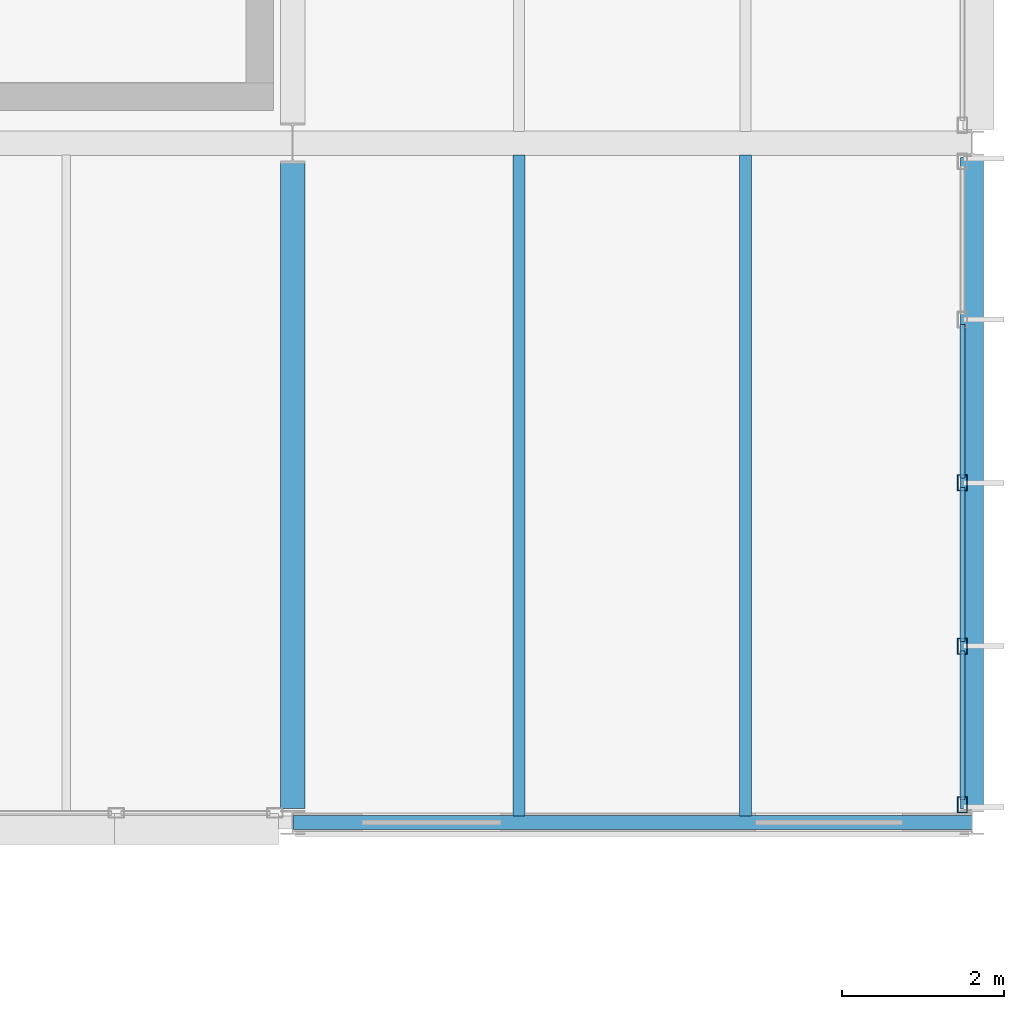
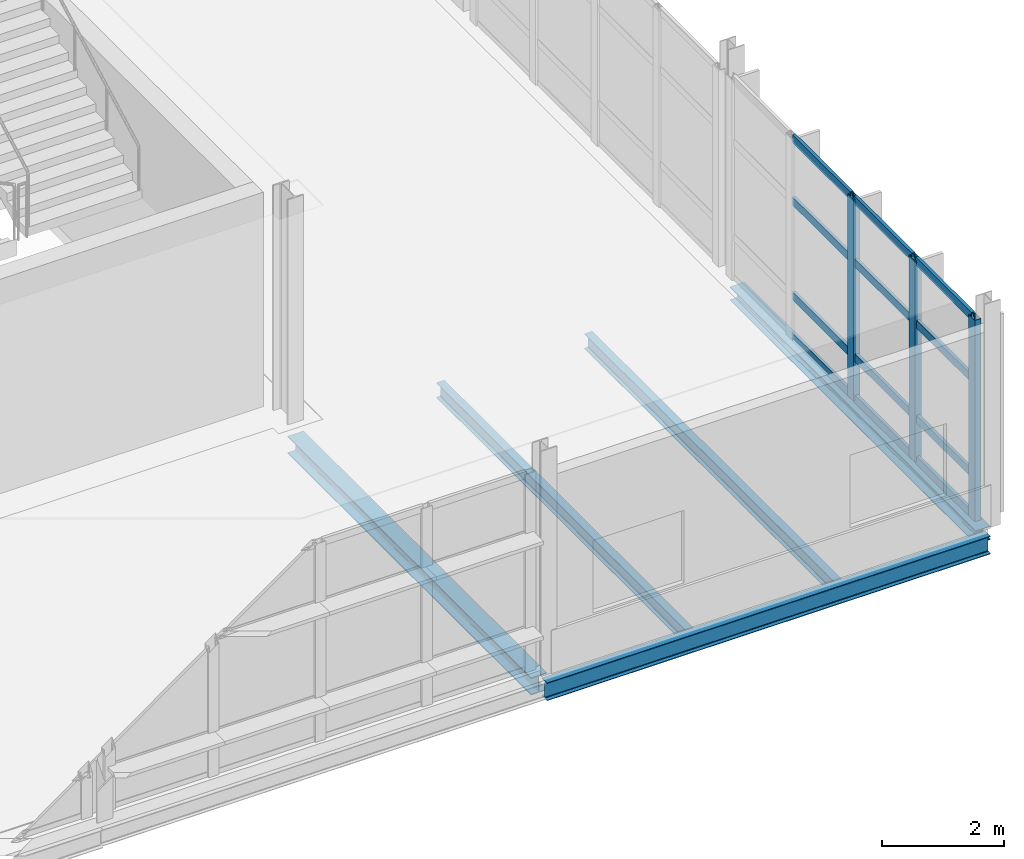
# One storey, part 67 of 129: 15 members, 5 beams, 1 element without a shape of its own.
"""IFC4 building model written with IfcOpenShell, lengths in metres."""

from ifc_helpers import new_model, si_unit, direction, frame, origin, origin_2d, place, context, subcontext, project, spatial, hollow_rectangle, i_section, extrude, material, material_profile, profile_set, type_object, element, aggregate, save


model = new_model("IFC4")

# Units and contexts
model_context = context("Model", 3, precision=1e-05, world=origin(), true_north=direction((0.0, 1.0)))
body_context = subcontext(model_context, "Body", "Model", "MODEL_VIEW")
ifc_project = project(units=[si_unit("LENGTHUNIT", "METRE"), si_unit("AREAUNIT", "SQUARE_METRE"), si_unit("VOLUMEUNIT", "CUBIC_METRE"), si_unit("PLANEANGLEUNIT", "RADIAN"), si_unit("MASSUNIT", "GRAM", prefix="KILO")], contexts=[model_context])

# Site, building, storey
site_placement = place(None, origin())
site = spatial("IfcSite", under=ifc_project, at=site_placement, CompositionType="ELEMENT")
building_placement = place(site_placement, origin())
building = spatial("IfcBuilding", under=site, at=building_placement, Name="Mersafa Astral City Hall", CompositionType="ELEMENT")
storey_placement = place(building_placement, frame((0.0, 0.0, 5.39990234375)))
storey = spatial("IfcBuildingStorey", under=building, at=storey_placement, Name="L01", CompositionType="ELEMENT", Elevation=5.39990234375)

# Curtain wall, members
ifc_material_1 = material(Name="Anodised bronze aluminium framing", Category="aluminium")
curtain_wall_type = type_object("IfcCurtainWallType", Name="ENV-CW-5", PredefinedType="USERDEFINED", material=ifc_material_1)
curtain_wall_placement = place(storey_placement, origin())
curtain_wall = element("IfcCurtainWall", 1, at=curtain_wall_placement, inside=storey, type_object=curtain_wall_type, Name="L01 Unitised solar curtain wall 70", ObjectType="UNITISED CURTAIN WALL", PredefinedType="USERDEFINED")
ifc_material_profile_1 = material_profile(ifc_material_1, hollow_rectangle(XDim=0.1201171875, YDim=0.199951171875, WallThickness=0.008056640625, at=origin_2d()), Name="RHS 120x200x8")
ifc_profile_set_1 = profile_set([ifc_material_profile_1], Name="Anodised bronze aluminium framing")
member_type_1 = type_object("IfcMemberType", Name="ENV-CW-MUL-2", PredefinedType="MULLION", material=ifc_profile_set_1)
member_1_placement = place(storey_placement, frame((184.679931640625, 42.221923828125, -0.001953125), z_axis=(0.0, 0.0, 1.0), x_axis=(-1.0, 0.0, 0.0)))
member_1 = element("IfcMember", 2, at=member_1_placement, type_object=member_type_1, Name="CW-5 mullion 1", PredefinedType="MULLION", context=body_context, shape_type="SweptSolid", body=[
    extrude(hollow_rectangle(XDim=0.1201171875, YDim=0.199951171875, WallThickness=0.008056640625, at=origin_2d()), origin(), (0.0, 0.0, 1.0), 4.029052734375),
])
member_2_placement = place(storey_placement, frame((184.679931640625, 44.180908203125, -0.001953125), z_axis=(0.0, 0.0, 1.0), x_axis=(-1.0, 0.0, 0.0)))
member_2 = element("IfcMember", 3, at=member_2_placement, type_object=member_type_1, Name="CW-5 mullion 2", PredefinedType="MULLION", context=body_context, shape_type="SweptSolid", body=[
    extrude(hollow_rectangle(XDim=0.1201171875, YDim=0.199951171875, WallThickness=0.008056640625, at=origin_2d()), origin(), (0.0, 0.0, 1.0), 4.029052734375),
])
member_3_placement = place(storey_placement, frame((184.679931640625, 46.199951171875, -0.001953125), z_axis=(0.0, 0.0, 1.0), x_axis=(-1.0, 0.0, 0.0)))
member_3 = element("IfcMember", 4, at=member_3_placement, type_object=member_type_1, Name="CW-5 mullion 3", PredefinedType="MULLION", context=body_context, shape_type="SweptSolid", body=[
    extrude(hollow_rectangle(XDim=0.1201171875, YDim=0.199951171875, WallThickness=0.008056640625, at=origin_2d()), origin(), (0.0, 0.0, 1.0), 4.029052734375),
])
ifc_material_profile_2 = material_profile(ifc_material_1, hollow_rectangle(XDim=0.06005859375, YDim=0.159912109375, WallThickness=0.00390625, at=origin_2d()), Name="RHS 60x160x4")
ifc_profile_set_2 = profile_set([ifc_material_profile_2], Name="Anodised bronze aluminium framing")
member_type_2 = type_object("IfcMemberType", Name="ENV-CW-TRN-2", PredefinedType="USERDEFINED", material=ifc_profile_set_2)
member_4_placement = place(storey_placement, frame((184.679931640625, 42.281982421875, 0.028076171875), z_axis=(0.0, 1.0, 0.0), x_axis=(-1.0, 0.0, 0.0)))
member_4 = element("IfcMember", 5, at=member_4_placement, type_object=member_type_2, Name="CW-5 transom 1.1", ObjectType="TRANSOM", PredefinedType="USERDEFINED", context=body_context, shape_type="SweptSolid", body=[
    extrude(hollow_rectangle(XDim=0.06005859375, YDim=0.159912109375, WallThickness=0.00390625, at=origin_2d()), origin(), (0.0, 0.0, 1.0), 1.839111328125),
])
member_5_placement = place(storey_placement, frame((184.679931640625, 42.281982421875, 0.85009765625), z_axis=(0.0, 1.0, 0.0), x_axis=(-1.0, 0.0, 0.0)))
member_5 = element("IfcMember", 6, at=member_5_placement, type_object=member_type_2, Name="CW-5 transom 1.2", ObjectType="TRANSOM", PredefinedType="USERDEFINED", context=body_context, shape_type="SweptSolid", body=[
    extrude(hollow_rectangle(XDim=0.06005859375, YDim=0.159912109375, WallThickness=0.00390625, at=origin_2d()), origin(), (0.0, 0.0, 1.0), 1.839111328125),
])
member_6_placement = place(storey_placement, frame((184.679931640625, 42.281982421875, 2.75), z_axis=(0.0, 1.0, 0.0), x_axis=(-1.0, 0.0, 0.0)))
member_6 = element("IfcMember", 7, at=member_6_placement, type_object=member_type_2, Name="CW-5 transom 1.3", ObjectType="TRANSOM", PredefinedType="USERDEFINED", context=body_context, shape_type="SweptSolid", body=[
    extrude(hollow_rectangle(XDim=0.06005859375, YDim=0.159912109375, WallThickness=0.00390625, at=origin_2d()), origin(), (0.0, 0.0, 1.0), 1.839111328125),
])
member_7_placement = place(storey_placement, frame((184.679931640625, 42.281982421875, 3.9970703125), z_axis=(0.0, 1.0, 0.0), x_axis=(-1.0, 0.0, 0.0)))
member_7 = element("IfcMember", 8, at=member_7_placement, type_object=member_type_2, Name="CW-5 transom 1.4", ObjectType="TRANSOM", PredefinedType="USERDEFINED", context=body_context, shape_type="SweptSolid", body=[
    extrude(hollow_rectangle(XDim=0.06005859375, YDim=0.159912109375, WallThickness=0.00390625, at=origin_2d()), origin(), (0.0, 0.0, 1.0), 1.839111328125),
])
member_8_placement = place(storey_placement, frame((184.679931640625, 44.240966796875, 0.028076171875), z_axis=(0.0, 1.0, 0.0), x_axis=(-1.0, 0.0, 0.0)))
member_8 = element("IfcMember", 9, at=member_8_placement, type_object=member_type_2, Name="CW-5 transom 2.1", ObjectType="TRANSOM", PredefinedType="USERDEFINED", context=body_context, shape_type="SweptSolid", body=[
    extrude(hollow_rectangle(XDim=0.06005859375, YDim=0.159912109375, WallThickness=0.00390625, at=origin_2d()), origin(), (0.0, 0.0, 1.0), 1.89892578125),
])
member_9_placement = place(storey_placement, frame((184.679931640625, 44.240966796875, 0.85009765625), z_axis=(0.0, 1.0, 0.0), x_axis=(-1.0, 0.0, 0.0)))
member_9 = element("IfcMember", 10, at=member_9_placement, type_object=member_type_2, Name="CW-5 transom 2.2", ObjectType="TRANSOM", PredefinedType="USERDEFINED", context=body_context, shape_type="SweptSolid", body=[
    extrude(hollow_rectangle(XDim=0.06005859375, YDim=0.159912109375, WallThickness=0.00390625, at=origin_2d()), origin(), (0.0, 0.0, 1.0), 1.89892578125),
])
member_10_placement = place(storey_placement, frame((184.679931640625, 44.240966796875, 2.75), z_axis=(0.0, 1.0, 0.0), x_axis=(-1.0, 0.0, 0.0)))
member_10 = element("IfcMember", 11, at=member_10_placement, type_object=member_type_2, Name="CW-5 transom 2.3", ObjectType="TRANSOM", PredefinedType="USERDEFINED", context=body_context, shape_type="SweptSolid", body=[
    extrude(hollow_rectangle(XDim=0.06005859375, YDim=0.159912109375, WallThickness=0.00390625, at=origin_2d()), origin(), (0.0, 0.0, 1.0), 1.89892578125),
])
member_11_placement = place(storey_placement, frame((184.679931640625, 44.240966796875, 3.9970703125), z_axis=(0.0, 1.0, 0.0), x_axis=(-1.0, 0.0, 0.0)))
member_11 = element("IfcMember", 12, at=member_11_placement, type_object=member_type_2, Name="CW-5 transom 2.4", ObjectType="TRANSOM", PredefinedType="USERDEFINED", context=body_context, shape_type="SweptSolid", body=[
    extrude(hollow_rectangle(XDim=0.06005859375, YDim=0.159912109375, WallThickness=0.00390625, at=origin_2d()), origin(), (0.0, 0.0, 1.0), 1.89892578125),
])
member_12_placement = place(storey_placement, frame((184.679931640625, 46.260009765625, 0.028076171875), z_axis=(0.0, 1.0, 0.0), x_axis=(-1.0, 0.0, 0.0)))
member_12 = element("IfcMember", 13, at=member_12_placement, type_object=member_type_2, Name="CW-5 transom 3.1", ObjectType="TRANSOM", PredefinedType="USERDEFINED", context=body_context, shape_type="SweptSolid", body=[
    extrude(hollow_rectangle(XDim=0.06005859375, YDim=0.159912109375, WallThickness=0.00390625, at=origin_2d()), origin(), (0.0, 0.0, 1.0), 1.89892578125),
])
member_13_placement = place(storey_placement, frame((184.679931640625, 46.260009765625, 0.85009765625), z_axis=(0.0, 1.0, 0.0), x_axis=(-1.0, 0.0, 0.0)))
member_13 = element("IfcMember", 14, at=member_13_placement, type_object=member_type_2, Name="CW-5 transom 3.2", ObjectType="TRANSOM", PredefinedType="USERDEFINED", context=body_context, shape_type="SweptSolid", body=[
    extrude(hollow_rectangle(XDim=0.06005859375, YDim=0.159912109375, WallThickness=0.00390625, at=origin_2d()), origin(), (0.0, 0.0, 1.0), 1.89892578125),
])
member_14_placement = place(storey_placement, frame((184.679931640625, 46.260009765625, 2.75), z_axis=(0.0, 1.0, 0.0), x_axis=(-1.0, 0.0, 0.0)))
member_14 = element("IfcMember", 15, at=member_14_placement, type_object=member_type_2, Name="CW-5 transom 3.3", ObjectType="TRANSOM", PredefinedType="USERDEFINED", context=body_context, shape_type="SweptSolid", body=[
    extrude(hollow_rectangle(XDim=0.06005859375, YDim=0.159912109375, WallThickness=0.00390625, at=origin_2d()), origin(), (0.0, 0.0, 1.0), 1.89892578125),
])
member_15_placement = place(storey_placement, frame((184.679931640625, 46.260009765625, 3.9970703125), z_axis=(0.0, 1.0, 0.0), x_axis=(-1.0, 0.0, 0.0)))
member_15 = element("IfcMember", 16, at=member_15_placement, type_object=member_type_2, Name="CW-5 transom 3.4", ObjectType="TRANSOM", PredefinedType="USERDEFINED", context=body_context, shape_type="SweptSolid", body=[
    extrude(hollow_rectangle(XDim=0.06005859375, YDim=0.159912109375, WallThickness=0.00390625, at=origin_2d()), origin(), (0.0, 0.0, 1.0), 1.89892578125),
])
aggregate(curtain_wall, [member_1, member_2, member_3, member_4, member_5, member_6, member_7, member_8, member_9, member_10, member_11, member_12, member_13, member_14, member_15])

# Beams
ifc_material_2 = material(Name="Steel S355", Category="steel")
ifc_material_profile_3 = material_profile(ifc_material_2, i_section(OverallWidth=0.300048828125, OverallDepth=0.35009765625, WebThickness=0.010009765625, FlangeThickness=0.017578125, FilletRadius=0.027099609375, at=origin_2d()), Name="HEA 360")
ifc_profile_set_3 = profile_set([ifc_material_profile_3], Name="Steel S355")
beam_type_1 = type_object("IfcBeamType", Name="STR-BM-HEA360", PredefinedType="BEAM", material=ifc_profile_set_3)
beam_1_placement = place(storey_placement, frame((176.39990234375, 42.175048828125, -0.39990234375), z_axis=(0.0, 1.0, 0.0), x_axis=(-1.0, 0.0, 0.0)))
element("IfcBeam", 17, at=beam_1_placement, inside=storey, type_object=beam_type_1, Name="L01 Primary girder Y 21-5", PredefinedType="BEAM", context=body_context, shape_type="SweptSolid", body=[
    extrude(i_section(OverallWidth=0.300048828125, OverallDepth=0.35009765625, WebThickness=0.010009765625, FlangeThickness=0.017578125, FilletRadius=0.027099609375, at=origin_2d()), origin(), (0.0, 0.0, 1.0), 7.97998046875),
])
ifc_material_profile_4 = material_profile(ifc_material_2, i_section(OverallWidth=0.14990234375, OverallDepth=0.300048828125, WebThickness=0.007080078125, FlangeThickness=0.0107421875, FilletRadius=0.014892578125, at=origin_2d()), Name="IPE 300")
ifc_profile_set_4 = profile_set([ifc_material_profile_4], Name="Steel S355")
beam_type_2 = type_object("IfcBeamType", Name="STR-BM-JOIST-IPE300", PredefinedType="JOIST", material=ifc_profile_set_4)
for number, where, z_axis, x_axis, name in (
    (18, (179.199951171875, 42.080078125, -0.375), (0.0, 1.0, 0.0), (-1.0, 0.0, 0.0), "L01 Composite secondary floor joist 389"),
    (19, (182.0, 42.080078125, -0.375), (0.0, 1.0, 0.0), (-1.0, 0.0, 0.0), "L01 Composite secondary floor joist 390"),
):
    element("IfcBeam", number, at=place(storey_placement, frame(where, z_axis=z_axis, x_axis=x_axis)), inside=storey, type_object=beam_type_2, Name=name, PredefinedType="JOIST", context=body_context, shape_type="SweptSolid", body=[
        extrude(i_section(OverallWidth=0.14990234375, OverallDepth=0.300048828125, WebThickness=0.007080078125, FlangeThickness=0.0107421875, FilletRadius=0.014892578125, at=origin_2d()), origin(), (0.0, 0.0, 1.0), 8.1748046875),
    ])
ifc_material_profile_5 = material_profile(ifc_material_2, i_section(OverallWidth=0.280029296875, OverallDepth=0.27001953125, WebThickness=0.008056640625, FlangeThickness=0.012939453125, FilletRadius=0.02392578125, at=origin_2d()), Name="HEA 280")
ifc_profile_set_5 = profile_set([ifc_material_profile_5], Name="Steel S355")
beam_type_3 = type_object("IfcBeamType", Name="STR-BM-SPANDREL-HEA280", PredefinedType="SPANDREL", material=ifc_profile_set_5)
beam_2_placement = place(storey_placement, frame((184.800048828125, 42.1650390625, -0.35986328125), z_axis=(0.0, 1.0, 0.0), x_axis=(-1.0, 0.0, 0.0)))
element("IfcBeam", 20, at=beam_2_placement, inside=storey, type_object=beam_type_3, Name="L01 Primary girder Y 22-5", PredefinedType="SPANDREL", context=body_context, shape_type="SweptSolid", body=[
    extrude(i_section(OverallWidth=0.280029296875, OverallDepth=0.27001953125, WebThickness=0.008056640625, FlangeThickness=0.012939453125, FilletRadius=0.02392578125, at=origin_2d()), origin(), (0.0, 0.0, 1.0), 8.06005859375),
])
ifc_material_profile_6 = material_profile(ifc_material_2, i_section(OverallWidth=0.169921875, OverallDepth=0.360107421875, WebThickness=0.008056640625, FlangeThickness=0.0126953125, FilletRadius=0.01806640625, at=origin_2d()), Name="IPE 360")
ifc_profile_set_6 = profile_set([ifc_material_profile_6], Name="Steel S355")
beam_type_4 = type_object("IfcBeamType", Name="STR-BM-SPANDREL-IPE360", PredefinedType="SPANDREL", material=ifc_profile_set_6)
beam_3_placement = place(storey_placement, frame((176.403076171875, 42.0, -0.40478515625), z_axis=(1.0, 0.0, 0.0), x_axis=(0.0, 1.0, 0.0)))
element("IfcBeam", 21, at=beam_3_placement, inside=storey, type_object=beam_type_4, Name="L01 Primary girder X 21-5", PredefinedType="SPANDREL", context=body_context, shape_type="SweptSolid", body=[
    extrude(i_section(OverallWidth=0.169921875, OverallDepth=0.360107421875, WebThickness=0.008056640625, FlangeThickness=0.0126953125, FilletRadius=0.01806640625, at=origin_2d()), origin(), (0.0, 0.0, 1.0), 8.39404296875),
])

save(model, "model.ifc")
